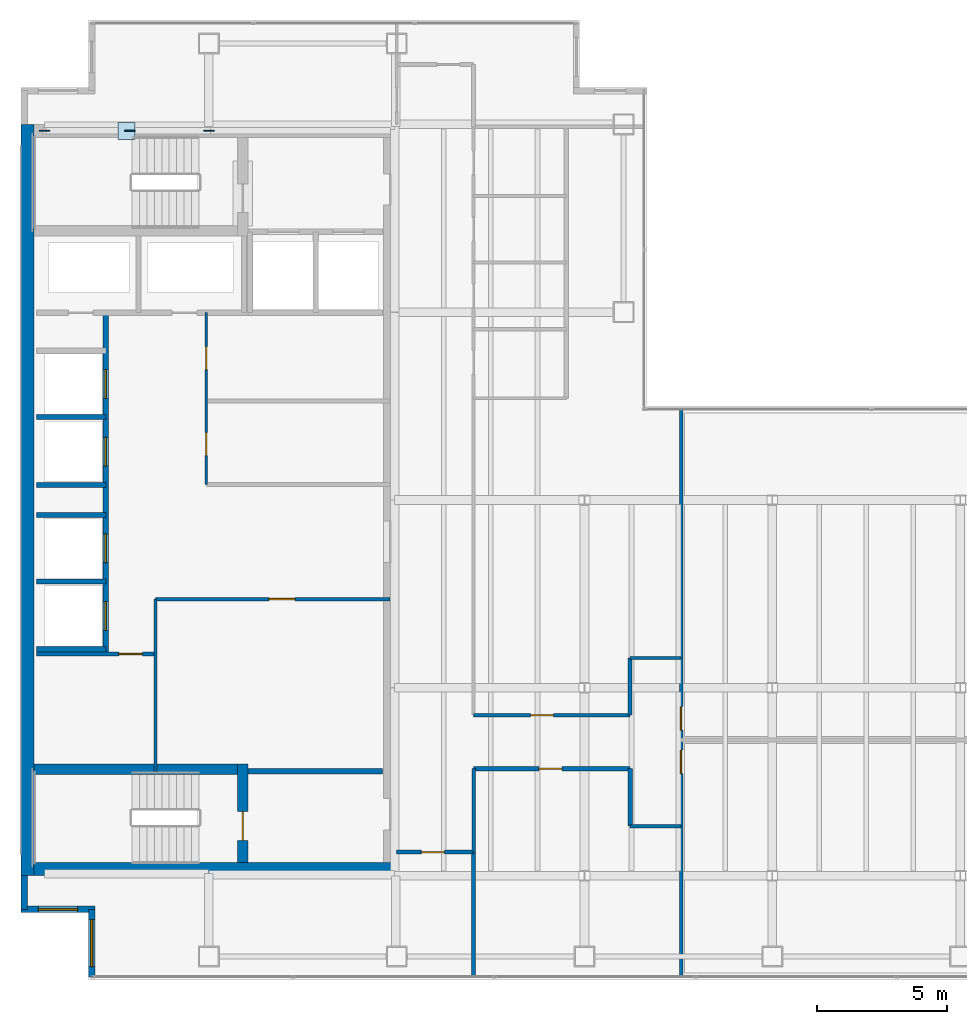
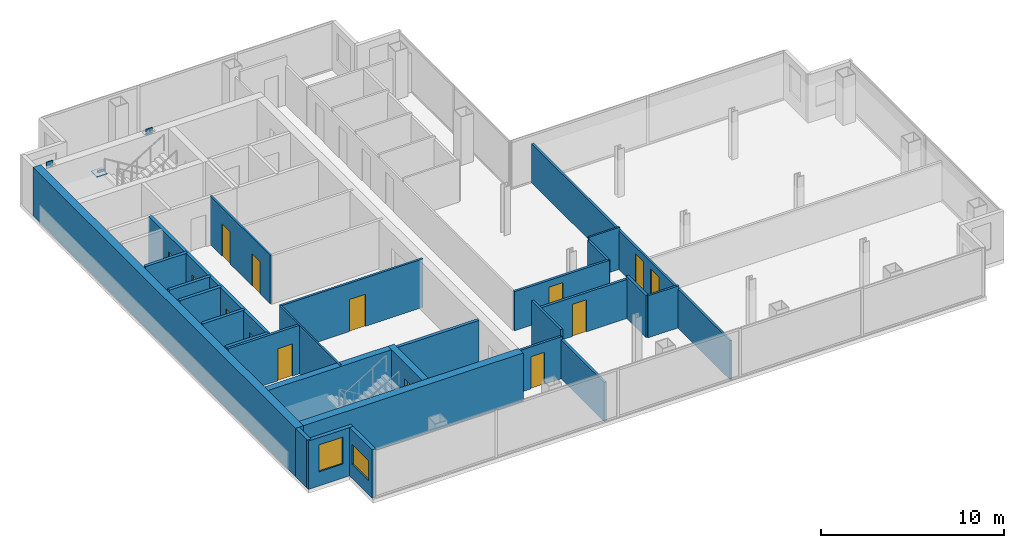
# One storey, part 20 of 23: 28 walls, 14 doors, 4 plates, 2 windows, 16 openings.
"""IFC4 building model written with IfcOpenShell, lengths in metres."""

from ifc_helpers import new_model, si_unit, direction, frame, frame_2d, origin, origin_2d, place, context, subcontext, project, spatial, rectangle, extrude, material, layer, layer_set, type_object, element, fill, save


model = new_model("IFC4")

# Units and contexts
model_context = context("Model", 3, precision=1e-05, world=origin(), true_north=direction((0.0, 1.0)))
body_context = subcontext(model_context, "Body", "Model", "MODEL_VIEW")
ifc_project = project(units=[si_unit("LENGTHUNIT", "METRE"), si_unit("AREAUNIT", "SQUARE_METRE"), si_unit("VOLUMEUNIT", "CUBIC_METRE"), si_unit("PLANEANGLEUNIT", "RADIAN"), si_unit("MASSUNIT", "GRAM", prefix="KILO")], contexts=[model_context])

# Site, building, storey
site_placement = place(None, origin())
site = spatial("IfcSite", under=ifc_project, at=site_placement, CompositionType="ELEMENT")
building_placement = place(site_placement, origin())
building = spatial("IfcBuilding", under=site, at=building_placement, Name="Cobrela Telecom Tower", CompositionType="ELEMENT")
storey_placement = place(building_placement, frame((0.0, 0.0, 197.75)))
storey = spatial("IfcBuildingStorey", under=building, at=storey_placement, Name="L50", CompositionType="ELEMENT", Elevation=197.75)

# Plates
ifc_material_1 = material(Name="Steel ASTM A572 Grade 50", Category="steel")
ifc_layer_1 = layer(ifc_material_1, 0.0419921875)
ifc_layer_set_1 = layer_set([ifc_layer_1], Name="Steel ASTM A572 Grade 50")
plate_type = type_object("IfcPlateType", Name="PLT-NODE-ND1", PredefinedType="USERDEFINED", material=ifc_layer_set_1)
for number, where, z_axis, x_axis, name in (
    (1, (7.199951171875, 35.75, 3.0751953125), (0.0, 0.0, 1.0), (1.0, 0.0, 0.0), "Steel node plate PLT-MBR-EXO-L50-N1-A-1"),
    (2, (4.173828125, 35.75, 1.349609375), (0.0, 0.0, 1.0), (-1.0, 0.0, 0.0), "Steel node plate PLT-MBR-EXO-L50-N1-B1-1"),
    (3, (0.89990234375, 35.75, 3.0751953125), (0.0, 0.0, 1.0), (-1.0, 0.0, 0.0), "Steel node plate PLT-MBR-EXO-L50-N1-B2-1"),
):
    element("IfcPlate", number, at=place(storey_placement, frame(where, z_axis=z_axis, x_axis=x_axis)), inside=storey, type_object=plate_type, Name=name, ObjectType="GUSSET PLATE", PredefinedType="USERDEFINED", context=body_context, shape_type="SweptSolid", body=[
        extrude(rectangle(XDim=0.409912109375, YDim=0.044921875, at=origin_2d()), origin(), (0.0, 0.0, 1.0), 0.409912109375),
    ])
plate_placement = place(storey_placement, frame((4.050048828125, 35.75, 1.59765625), z_axis=(0.0, 0.0, 1.0), x_axis=(1.0, 0.0, 0.0)))
element("IfcPlate", 4, at=plate_placement, inside=storey, type_object=plate_type, Name="L50 Core Flange Steel X-Brace Central X-Crossing Gusset Plate", ObjectType="GUSSET PLATE", PredefinedType="USERDEFINED", context=body_context, shape_type="SweptSolid", body=[
    extrude(rectangle(XDim=0.64990234375, YDim=0.64990234375, at=origin_2d()), origin(), (0.0, 0.0, 1.0), 0.044921875),
])

# Walls
ifc_material_2 = material(Name="Concrete C40/50", Category="concrete")
ifc_layer_2 = layer(ifc_material_2, 0.5)
ifc_layer_set_2 = layer_set([ifc_layer_2], Name="Concrete C40/50")
wall_type_1 = type_object("IfcWallType", Name="WALL-CORE-C40-500", PredefinedType="SHEAR", material=ifc_layer_set_2)
wall_1_placement = place(storey_placement, frame((0.25, 7.199951171875, 0.0), z_axis=(0.0, 0.0, 1.0), x_axis=(0.0, 1.0, 0.0)))
element("IfcWall", 5, at=wall_1_placement, inside=storey, type_object=wall_type_1, Name="L50 West Core Shear Wall", PredefinedType="SHEAR", context=body_context, shape_type="SweptSolid", body=[
    extrude(rectangle(XDim=28.800048828125, YDim=0.5, at=frame_2d((14.39990234375, 0.0))), origin(), (0.0, 0.0, 1.0), 3.239990234375),
])
wall_2_placement = place(storey_placement, frame((0.5, 7.449951171875, 0.0), z_axis=(0.0, 0.0, 1.0), x_axis=(1.0, 0.0, 0.0)))
element("IfcWall", 6, at=wall_2_placement, inside=storey, type_object=wall_type_1, Name="L50 South Core Shear Wall", PredefinedType="SHEAR", context=body_context, shape_type="SweptSolid", body=[
    extrude(rectangle(XDim=13.89990234375, YDim=0.5, at=frame_2d((6.949951171875, 0.0))), origin(), (0.0, 0.0, 1.0), 3.239990234375),
])

# Wall, opening, window
ifc_layer_3 = layer(ifc_material_2, 0.239990234375)
ifc_layer_set_3 = layer_set([ifc_layer_3], Name="Concrete C40/50")
wall_type_2 = type_object("IfcWallType", Name="WALL-EXT-300", PredefinedType="STANDARD", material=ifc_layer_set_3)
wall_3_placement = place(storey_placement, frame((2.7099609375, 3.320068359375, 0.0), z_axis=(0.0, 0.0, 1.0), x_axis=(0.0, 1.0, 0.0)))
wall_3 = element("IfcWall", 7, at=wall_3_placement, inside=storey, type_object=wall_type_2, Name="L50 Insulated Facade Wall 01", PredefinedType="STANDARD", context=body_context, shape_type="SweptSolid", body=[
    extrude(rectangle(XDim=2.58984375, YDim=0.239990234375, at=frame_2d((1.294921875, 0.0))), origin(), (0.0, 0.0, 1.0), 3.239990234375),
])
opening_1_placement = place(wall_3_placement, frame((0.39501953125, 0.0, 0.949951171875)))
opening_1 = element("IfcOpeningElement", 8, at=opening_1_placement, cuts=wall_3, Name="Opening WN-27", PredefinedType="OPENING", context=body_context, shape_type="SweptSolid", body=[
    extrude(rectangle(XDim=1.800048828125, YDim=1.35009765625, at=frame_2d((0.89990234375, 0.675048828125))), frame((0.0, 0.1318359375, 0.0), z_axis=(0.0, -1.0, 0.0), x_axis=(1.0, 0.0, 0.0)), (0.0, 0.0, 1.0), 0.263916015625),
])
ifc_material_3 = material(Name="Solar-Control Bronze Low-E Glass", Category="glass")
window_type_1 = type_object("IfcWindowType", Name="WIN-CLER-1800", PartitioningType="SINGLE_PANEL", PredefinedType="WINDOW", material=ifc_material_3)
window_1_placement = place(opening_1_placement, origin())
window_1 = element("IfcWindow", 9, at=window_1_placement, inside=storey, type_object=window_type_1, Name="L50 Corner Notch Facade Window 239", OverallHeight=1.35009765625, OverallWidth=1.800048828125, PartitioningType="SINGLE_PANEL", PredefinedType="WINDOW", context=body_context, shape_type="SweptSolid", body=[
    extrude(rectangle(XDim=1.800048828125, YDim=1.35009765625, at=frame_2d((0.89990234375, 0.675048828125))), frame((0.0, 0.030029296875, 0.0), z_axis=(0.0, -1.0, 0.0), x_axis=(1.0, 0.0, 0.0)), (0.0, 0.0, 1.0), 0.06005859375),
])
fill(opening_1, window_1)

wall_4_placement = place(storey_placement, frame((2.830078125, 5.909912109375, 0.0), z_axis=(0.0, 0.0, 1.0), x_axis=(-1.0, 0.0, 0.0)))
wall_4 = element("IfcWall", 10, at=wall_4_placement, inside=storey, type_object=wall_type_2, Name="L50 Insulated Facade Wall 02", PredefinedType="STANDARD", context=body_context, shape_type="SweptSolid", body=[
    extrude(rectangle(XDim=2.830078125, YDim=0.239990234375, at=frame_2d((1.4150390625, 0.0))), origin(), (0.0, 0.0, 1.0), 3.239990234375),
])
opening_2_placement = place(wall_4_placement, frame((0.6650390625, 0.0, 0.949951171875)))
opening_2 = element("IfcOpeningElement", 11, at=opening_2_placement, cuts=wall_4, Name="Opening WN-45", PredefinedType="OPENING", context=body_context, shape_type="SweptSolid", body=[
    extrude(rectangle(XDim=1.5, YDim=1.800048828125, at=frame_2d((0.75, 0.89990234375))), frame((0.0, 0.1318359375, 0.0), z_axis=(0.0, -1.0, 0.0), x_axis=(1.0, 0.0, 0.0)), (0.0, 0.0, 1.0), 0.263916015625),
])
window_type_2 = type_object("IfcWindowType", Name="WIN-MOD-1500", PartitioningType="SINGLE_PANEL", PredefinedType="WINDOW", material=ifc_material_3)
window_2_placement = place(opening_2_placement, origin())
window_2 = element("IfcWindow", 12, at=window_2_placement, inside=storey, type_object=window_type_2, Name="L50 Corner Notch Facade Window 240", OverallHeight=1.800048828125, OverallWidth=1.5, PartitioningType="SINGLE_PANEL", PredefinedType="WINDOW", context=body_context, shape_type="SweptSolid", body=[
    extrude(rectangle(XDim=1.5, YDim=1.800048828125, at=frame_2d((0.75, 0.89990234375))), frame((0.0, 0.030029296875, 0.0), z_axis=(0.0, -1.0, 0.0), x_axis=(1.0, 0.0, 0.0)), (0.0, 0.0, 1.0), 0.06005859375),
])
fill(opening_2, window_2)

# Wall
wall_5_placement = place(storey_placement, frame((0.1201171875, 5.909912109375, 0.0), z_axis=(0.0, 0.0, 1.0), x_axis=(0.0, 1.0, 0.0)))
element("IfcWall", 13, at=wall_5_placement, inside=storey, type_object=wall_type_2, Name="L50 Insulated Facade Wall 03", PredefinedType="STANDARD", context=body_context, shape_type="SweptSolid", body=[
    extrude(rectangle(XDim=1.2900390625, YDim=0.239990234375, at=frame_2d((0.64501953125, 0.0))), origin(), (0.0, 0.0, 1.0), 3.239990234375),
])

# Wall, openings, doors
ifc_material_4 = material(Name="Fire-Rated Gypsum Plasterboard")
ifc_layer_4 = layer(ifc_material_4, 0.110107421875)
ifc_layer_set_4 = layer_set([ifc_layer_4], Name="Fire-Rated Gypsum Plasterboard")
wall_type_3 = type_object("IfcWallType", Name="WALL-PART-110", PredefinedType="PARTITIONING", material=ifc_layer_set_4)
wall_6_placement = place(storey_placement, frame((7.10009765625, 22.199951171875, 0.0), z_axis=(0.0, 0.0, 1.0), x_axis=(0.0, 1.0, 0.0)))
wall_6 = element("IfcWall", 14, at=wall_6_placement, inside=storey, type_object=wall_type_3, Name="L50 Interior Partition CW-RECL-W", PredefinedType="PARTITIONING", context=body_context, shape_type="SweptSolid", body=[
    extrude(rectangle(XDim=6.580078125, YDim=0.110107421875, at=frame_2d((3.2900390625, 0.0))), origin(), (0.0, 0.0, 1.0), 3.239990234375),
])
opening_3_placement = place(wall_6_placement, frame((1.10009765625, 0.0, 0.0)))
opening_3 = element("IfcOpeningElement", 15, at=opening_3_placement, cuts=wall_6, Name="Opening DR-39", PredefinedType="OPENING", context=body_context, shape_type="SweptSolid", body=[
    extrude(rectangle(XDim=0.8798828125, YDim=2.14990234375, at=frame_2d((0.43994140625, 1.074951171875))), frame((0.0, 0.06689453125, 0.0), z_axis=(0.0, -1.0, 0.0), x_axis=(1.0, 0.0, 0.0)), (0.0, 0.0, 1.0), 0.134033203125),
])
opening_4_placement = place(wall_6_placement, frame((4.39990234375, 0.0, 0.0)))
opening_4 = element("IfcOpeningElement", 16, at=opening_4_placement, cuts=wall_6, Name="Opening DR-39", PredefinedType="OPENING", context=body_context, shape_type="SweptSolid", body=[
    extrude(rectangle(XDim=0.8798828125, YDim=2.14990234375, at=frame_2d((0.43994140625, 1.074951171875))), frame((0.0, 0.06689453125, 0.0), z_axis=(0.0, -1.0, 0.0), x_axis=(1.0, 0.0, 0.0)), (0.0, 0.0, 1.0), 0.134033203125),
])
ifc_material_5 = material(Name="Solid Engineered Oak Timber", Category="wood")
door_type_1 = type_object("IfcDoorType", Name="DOOR-INT-880", OperationType="SINGLE_SWING_LEFT", PredefinedType="DOOR", material=ifc_material_5)
door_1_placement = place(opening_3_placement, origin())
door_1 = element("IfcDoor", 17, at=door_1_placement, inside=storey, type_object=door_type_1, Name="L50 Door DR-39", OperationType="SINGLE_SWING_RIGHT", OverallHeight=2.14990234375, OverallWidth=0.8798828125, PredefinedType="DOOR", context=body_context, shape_type="SweptSolid", body=[
    extrude(rectangle(XDim=0.8798828125, YDim=2.14990234375, at=frame_2d((0.43994140625, 1.074951171875))), frame((0.0, 0.02490234375, 0.0), z_axis=(0.0, -1.0, 0.0), x_axis=(1.0, 0.0, 0.0)), (0.0, 0.0, 1.0), 0.050048828125),
])
fill(opening_3, door_1)
door_2_placement = place(opening_4_placement, origin())
door_2 = element("IfcDoor", 18, at=door_2_placement, inside=storey, type_object=door_type_1, Name="L50 Door DR-39", OperationType="SINGLE_SWING_LEFT", OverallHeight=2.14990234375, OverallWidth=0.8798828125, PredefinedType="DOOR", context=body_context, shape_type="SweptSolid", body=[
    extrude(rectangle(XDim=0.8798828125, YDim=2.14990234375, at=frame_2d((0.43994140625, 1.074951171875))), frame((0.0, 0.02490234375, 0.0), z_axis=(0.0, -1.0, 0.0), x_axis=(1.0, 0.0, 0.0)), (0.0, 0.0, 1.0), 0.050048828125),
])
fill(opening_4, door_2)

# Walls
wall_7_placement = place(storey_placement, frame((5.14990234375, 11.199951171875, 0.0), z_axis=(0.0, 0.0, 1.0), x_axis=(0.0, 1.0, 0.0)))
element("IfcWall", 19, at=wall_7_placement, inside=storey, type_object=wall_type_3, Name="L50 Interior Partition CW-RECM-W", PredefinedType="PARTITIONING", context=body_context, shape_type="SweptSolid", body=[
    extrude(rectangle(XDim=6.60009765625, YDim=0.110107421875, at=frame_2d((3.300048828125, 0.0))), origin(), (0.0, 0.0, 1.0), 3.239990234375),
])
wall_8_placement = place(storey_placement, frame((23.35009765625, 15.550048828125, 0.0), z_axis=(0.0, 0.0, 1.0), x_axis=(1.0, 0.0, 0.0)))
element("IfcWall", 20, at=wall_8_placement, inside=storey, type_object=wall_type_3, Name="L50 Interior Partition W-CT-N", PredefinedType="PARTITIONING", context=body_context, shape_type="SweptSolid", body=[
    extrude(rectangle(XDim=1.949951171875, YDim=0.110107421875, at=frame_2d((0.97509765625, 0.0))), origin(), (0.0, 0.0, 1.0), 2.80810546875),
])

# Wall, opening, door
ifc_layer_5 = layer(ifc_material_4, 0.135009765625)
ifc_layer_set_5 = layer_set([ifc_layer_5], Name="Fire-Rated Gypsum Plasterboard")
wall_type_4 = type_object("IfcWallType", Name="WALL-PART-135", PredefinedType="PARTITIONING", material=ifc_layer_set_5)
wall_9_placement = place(storey_placement, frame((5.14990234375, 17.800048828125, 0.0), z_axis=(0.0, 0.0, 1.0), x_axis=(1.0, 0.0, 0.0)))
wall_9 = element("IfcWall", 21, at=wall_9_placement, inside=storey, type_object=wall_type_4, Name="L50 Interior Partition CW-RECM-N", PredefinedType="PARTITIONING", context=body_context, shape_type="SweptSolid", body=[
    extrude(rectangle(XDim=9.0, YDim=0.135009765625, at=frame_2d((4.5, 0.0))), origin(), (0.0, 0.0, 1.0), 3.239990234375),
])
opening_5_placement = place(wall_9_placement, frame((4.35009765625, 0.0, 0.0)))
opening_5 = element("IfcOpeningElement", 22, at=opening_5_placement, cuts=wall_9, Name="Opening DR-31", PredefinedType="OPENING", context=body_context, shape_type="SweptSolid", body=[
    extrude(rectangle(XDim=1.0, YDim=2.14990234375, at=frame_2d((0.5, 1.074951171875))), frame((0.0, 0.07958984375, 0.0), z_axis=(0.0, -1.0, 0.0), x_axis=(1.0, 0.0, 0.0)), (0.0, 0.0, 1.0), 0.158935546875),
])
door_type_2 = type_object("IfcDoorType", Name="DOOR-INT-1000", OperationType="SINGLE_SWING_LEFT", PredefinedType="DOOR", material=ifc_material_5)
door_3_placement = place(opening_5_placement, origin())
door_3 = element("IfcDoor", 23, at=door_3_placement, inside=storey, type_object=door_type_2, Name="L50 Door DR-31", OperationType="SINGLE_SWING_LEFT", OverallHeight=2.14990234375, OverallWidth=1.0, PredefinedType="DOOR", context=body_context, shape_type="SweptSolid", body=[
    extrude(rectangle(XDim=1.0, YDim=2.14990234375, at=frame_2d((0.5, 1.074951171875))), frame((0.0, 0.02490234375, 0.0), z_axis=(0.0, -1.0, 0.0), x_axis=(1.0, 0.0, 0.0)), (0.0, 0.0, 1.0), 0.050048828125),
])
fill(opening_5, door_3)

# Walls
wall_10_placement = place(storey_placement, frame((17.35009765625, 8.10009765625, 0.0), z_axis=(0.0, 0.0, 1.0), x_axis=(0.0, 1.0, 0.0)))
element("IfcWall", 24, at=wall_10_placement, inside=storey, type_object=wall_type_4, Name="L50 Interior Partition W-C-E1", PredefinedType="PARTITIONING", context=body_context, shape_type="SweptSolid", body=[
    extrude(rectangle(XDim=3.199951171875, YDim=0.135009765625, at=frame_2d((1.60009765625, 0.0))), origin(), (0.0, 0.0, 1.0), 3.239990234375),
])
wall_11_placement = place(storey_placement, frame((23.35009765625, 9.10009765625, 0.0), z_axis=(0.0, 0.0, 1.0), x_axis=(1.0, 0.0, 0.0)))
element("IfcWall", 25, at=wall_11_placement, inside=storey, type_object=wall_type_4, Name="L50 Interior Partition W-CT-S", PredefinedType="PARTITIONING", context=body_context, shape_type="SweptSolid", body=[
    extrude(rectangle(XDim=1.949951171875, YDim=0.135009765625, at=frame_2d((0.97509765625, 0.0))), origin(), (0.0, 0.0, 1.0), 2.80810546875),
])

# Wall, openings, doors
wall_12_placement = place(storey_placement, frame((25.300048828125, 3.320068359375, 0.0), z_axis=(0.0, 0.0, 1.0), x_axis=(0.0, 1.0, 0.0)))
wall_12 = element("IfcWall", 26, at=wall_12_placement, inside=storey, type_object=wall_type_4, Name="L50 Interior Partition W-C-END", PredefinedType="PARTITIONING", context=body_context, shape_type="SweptSolid", body=[
    extrude(rectangle(XDim=21.760009765625, YDim=0.135009765625, at=frame_2d((10.8798828125, 0.0))), origin(), (0.0, 0.0, 1.0), 2.613037109375),
])
opening_6_placement = place(wall_12_placement, frame((7.7900390625, 0.0, 0.0)))
opening_6 = element("IfcOpeningElement", 27, at=opening_6_placement, cuts=wall_12, Name="Opening DR-41", PredefinedType="OPENING", context=body_context, shape_type="SweptSolid", body=[
    extrude(rectangle(XDim=0.89990234375, YDim=2.14990234375, at=frame_2d((0.449951171875, 1.074951171875))), frame((0.0, 0.07958984375, 0.0), z_axis=(0.0, -1.0, 0.0), x_axis=(1.0, 0.0, 0.0)), (0.0, 0.0, 1.0), 0.158935546875),
])
opening_7_placement = place(wall_12_placement, frame((9.4599609375, 0.0, 0.0)))
opening_7 = element("IfcOpeningElement", 28, at=opening_7_placement, cuts=wall_12, Name="Opening DR-41", PredefinedType="OPENING", context=body_context, shape_type="SweptSolid", body=[
    extrude(rectangle(XDim=0.89990234375, YDim=2.14990234375, at=frame_2d((0.449951171875, 1.074951171875))), frame((0.0, 0.07958984375, 0.0), z_axis=(0.0, -1.0, 0.0), x_axis=(1.0, 0.0, 0.0)), (0.0, 0.0, 1.0), 0.158935546875),
])
door_type_3 = type_object("IfcDoorType", Name="DOOR-INT-900", OperationType="SINGLE_SWING_LEFT", PredefinedType="DOOR", material=ifc_material_5)
door_4_placement = place(opening_6_placement, origin())
door_4 = element("IfcDoor", 29, at=door_4_placement, inside=storey, type_object=door_type_3, Name="L50 Door DR-41", OperationType="SINGLE_SWING_LEFT", OverallHeight=2.14990234375, OverallWidth=0.89990234375, PredefinedType="DOOR", context=body_context, shape_type="SweptSolid", body=[
    extrude(rectangle(XDim=0.89990234375, YDim=2.14990234375, at=frame_2d((0.449951171875, 1.074951171875))), frame((0.0, 0.02490234375, 0.0), z_axis=(0.0, -1.0, 0.0), x_axis=(1.0, 0.0, 0.0)), (0.0, 0.0, 1.0), 0.050048828125),
])
fill(opening_6, door_4)
door_5_placement = place(opening_7_placement, origin())
door_5 = element("IfcDoor", 30, at=door_5_placement, inside=storey, type_object=door_type_3, Name="L50 Door DR-41", OperationType="SINGLE_SWING_RIGHT", OverallHeight=2.14990234375, OverallWidth=0.89990234375, PredefinedType="DOOR", context=body_context, shape_type="SweptSolid", body=[
    extrude(rectangle(XDim=0.89990234375, YDim=2.14990234375, at=frame_2d((0.449951171875, 1.074951171875))), frame((0.0, 0.02490234375, 0.0), z_axis=(0.0, -1.0, 0.0), x_axis=(1.0, 0.0, 0.0)), (0.0, 0.0, 1.0), 0.050048828125),
])
fill(opening_7, door_5)

# Wall, opening, door
ifc_layer_6 = layer(ifc_material_4, 0.14990234375)
ifc_layer_set_6 = layer_set([ifc_layer_6], Name="Fire-Rated Gypsum Plasterboard")
wall_type_5 = type_object("IfcWallType", Name="WALL-PART-150", PredefinedType="PARTITIONING", material=ifc_layer_set_6)
wall_13_placement = place(storey_placement, frame((14.39990234375, 8.10009765625, 0.0), z_axis=(0.0, 0.0, 1.0), x_axis=(1.0, 0.0, 0.0)))
wall_13 = element("IfcWall", 31, at=wall_13_placement, inside=storey, type_object=wall_type_5, Name="L50 Interior Partition W-C-S0", PredefinedType="PARTITIONING", context=body_context, shape_type="SweptSolid", body=[
    extrude(rectangle(XDim=2.9501953125, YDim=0.14990234375, at=frame_2d((1.47509765625, 0.0))), origin(), (0.0, 0.0, 1.0), 2.80810546875),
])
opening_8_placement = place(wall_13_placement, frame((0.949951171875, 0.0, 0.0)))
opening_8 = element("IfcOpeningElement", 32, at=opening_8_placement, cuts=wall_13, Name="Opening DR-39", PredefinedType="OPENING", context=body_context, shape_type="SweptSolid", body=[
    extrude(rectangle(XDim=0.8798828125, YDim=2.14990234375, at=frame_2d((0.43994140625, 1.074951171875))), frame((0.0, 0.0869140625, 0.0), z_axis=(0.0, -1.0, 0.0), x_axis=(1.0, 0.0, 0.0)), (0.0, 0.0, 1.0), 0.173828125),
])
door_6_placement = place(opening_8_placement, origin())
door_6 = element("IfcDoor", 33, at=door_6_placement, inside=storey, type_object=door_type_1, Name="L50 Door DR-39", OperationType="SINGLE_SWING_RIGHT", OverallHeight=2.14990234375, OverallWidth=0.8798828125, PredefinedType="DOOR", context=body_context, shape_type="SweptSolid", body=[
    extrude(rectangle(XDim=0.8798828125, YDim=2.14990234375, at=frame_2d((0.43994140625, 1.074951171875))), frame((0.0, 0.02490234375, 0.0), z_axis=(0.0, -1.0, 0.0), x_axis=(1.0, 0.0, 0.0)), (0.0, 0.0, 1.0), 0.050048828125),
])
fill(opening_8, door_6)

wall_14_placement = place(storey_placement, frame((17.35009765625, 13.35009765625, 0.0), z_axis=(0.0, 0.0, 1.0), x_axis=(1.0, 0.0, 0.0)))
wall_14 = element("IfcWall", 34, at=wall_14_placement, inside=storey, type_object=wall_type_5, Name="L50 Interior Partition W-C-HN", PredefinedType="PARTITIONING", context=body_context, shape_type="SweptSolid", body=[
    extrude(rectangle(XDim=6.0, YDim=0.14990234375, at=frame_2d((3.0, 0.0))), origin(), (0.0, 0.0, 1.0), 2.613037109375),
])
opening_9_placement = place(wall_14_placement, frame((2.179931640625, 0.0, 0.0)))
opening_9 = element("IfcOpeningElement", 35, at=opening_9_placement, cuts=wall_14, Name="Opening DR-39", PredefinedType="OPENING", context=body_context, shape_type="SweptSolid", body=[
    extrude(rectangle(XDim=0.8798828125, YDim=2.14990234375, at=frame_2d((0.43994140625, 1.074951171875))), frame((0.0, 0.0869140625, 0.0), z_axis=(0.0, -1.0, 0.0), x_axis=(1.0, 0.0, 0.0)), (0.0, 0.0, 1.0), 0.173828125),
])
door_7_placement = place(opening_9_placement, origin())
door_7 = element("IfcDoor", 36, at=door_7_placement, inside=storey, type_object=door_type_1, Name="L50 Door DR-39", OperationType="SINGLE_SWING_LEFT", OverallHeight=2.14990234375, OverallWidth=0.8798828125, PredefinedType="DOOR", context=body_context, shape_type="SweptSolid", body=[
    extrude(rectangle(XDim=0.8798828125, YDim=2.14990234375, at=frame_2d((0.43994140625, 1.074951171875))), frame((0.0, 0.02490234375, 0.0), z_axis=(0.0, -1.0, 0.0), x_axis=(1.0, 0.0, 0.0)), (0.0, 0.0, 1.0), 0.050048828125),
])
fill(opening_9, door_7)

# Wall
wall_15_placement = place(storey_placement, frame((23.35009765625, 13.35009765625, 0.0), z_axis=(0.0, 0.0, 1.0), x_axis=(0.0, 1.0, 0.0)))
element("IfcWall", 37, at=wall_15_placement, inside=storey, type_object=wall_type_5, Name="L50 Interior Partition W-CT-JW2", PredefinedType="PARTITIONING", context=body_context, shape_type="SweptSolid", body=[
    extrude(rectangle(XDim=2.199951171875, YDim=0.14990234375, at=frame_2d((1.10009765625, 0.0))), origin(), (0.0, 0.0, 1.0), 2.613037109375),
])

# Wall, opening, door
ifc_layer_7 = layer(ifc_material_4, 0.159912109375)
ifc_layer_set_7 = layer_set([ifc_layer_7], Name="Fire-Rated Gypsum Plasterboard")
wall_type_6 = type_object("IfcWallType", Name="WALL-PART-160", PredefinedType="PARTITIONING", material=ifc_layer_set_7)
wall_16_placement = place(storey_placement, frame((0.60009765625, 15.699951171875, 0.0), z_axis=(0.0, 0.0, 1.0), x_axis=(1.0, 0.0, 0.0)))
wall_16 = element("IfcWall", 38, at=wall_16_placement, inside=storey, type_object=wall_type_6, Name="L50 Interior Partition CW-FLEX-N", PredefinedType="PARTITIONING", context=body_context, shape_type="SweptSolid", body=[
    extrude(rectangle(XDim=4.5498046875, YDim=0.159912109375, at=frame_2d((2.27490234375, 0.0))), origin(), (0.0, 0.0, 1.0), 3.239990234375),
])
opening_10_placement = place(wall_16_placement, frame((3.14990234375, 0.0, 0.0)))
opening_10 = element("IfcOpeningElement", 39, at=opening_10_placement, cuts=wall_16, Name="Opening DR-41", PredefinedType="OPENING", context=body_context, shape_type="SweptSolid", body=[
    extrude(rectangle(XDim=0.89990234375, YDim=2.14990234375, at=frame_2d((0.449951171875, 1.074951171875))), frame((0.0, 0.091796875, 0.0), z_axis=(0.0, -1.0, 0.0), x_axis=(1.0, 0.0, 0.0)), (0.0, 0.0, 1.0), 0.183837890625),
])
door_8_placement = place(opening_10_placement, origin())
door_8 = element("IfcDoor", 40, at=door_8_placement, inside=storey, type_object=door_type_3, Name="L50 Door DR-41", OperationType="SINGLE_SWING_LEFT", OverallHeight=2.14990234375, OverallWidth=0.89990234375, PredefinedType="DOOR", context=body_context, shape_type="SweptSolid", body=[
    extrude(rectangle(XDim=0.89990234375, YDim=2.14990234375, at=frame_2d((0.449951171875, 1.074951171875))), frame((0.0, 0.02490234375, 0.0), z_axis=(0.0, -1.0, 0.0), x_axis=(1.0, 0.0, 0.0)), (0.0, 0.0, 1.0), 0.050048828125),
])
fill(opening_10, door_8)

wall_17_placement = place(storey_placement, frame((17.35009765625, 11.300048828125, 0.0), z_axis=(0.0, 0.0, 1.0), x_axis=(1.0, 0.0, 0.0)))
wall_17 = element("IfcWall", 41, at=wall_17_placement, inside=storey, type_object=wall_type_6, Name="L50 Interior Partition W-C-HS", PredefinedType="PARTITIONING", context=body_context, shape_type="SweptSolid", body=[
    extrude(rectangle(XDim=6.0, YDim=0.159912109375, at=frame_2d((3.0, 0.0))), origin(), (0.0, 0.0, 1.0), 2.613037109375),
])
opening_11_placement = place(wall_17_placement, frame((2.5, 0.0, 0.0)))
opening_11 = element("IfcOpeningElement", 42, at=opening_11_placement, cuts=wall_17, Name="Opening DR-39", PredefinedType="OPENING", context=body_context, shape_type="SweptSolid", body=[
    extrude(rectangle(XDim=0.8798828125, YDim=2.14990234375, at=frame_2d((0.43994140625, 1.074951171875))), frame((0.0, 0.091796875, 0.0), z_axis=(0.0, -1.0, 0.0), x_axis=(1.0, 0.0, 0.0)), (0.0, 0.0, 1.0), 0.183837890625),
])
door_9_placement = place(opening_11_placement, origin())
door_9 = element("IfcDoor", 43, at=door_9_placement, inside=storey, type_object=door_type_1, Name="L50 Door DR-39", OperationType="SINGLE_SWING_LEFT", OverallHeight=2.14990234375, OverallWidth=0.8798828125, PredefinedType="DOOR", context=body_context, shape_type="SweptSolid", body=[
    extrude(rectangle(XDim=0.8798828125, YDim=2.14990234375, at=frame_2d((0.43994140625, 1.074951171875))), frame((0.0, 0.02490234375, 0.0), z_axis=(0.0, -1.0, 0.0), x_axis=(1.0, 0.0, 0.0)), (0.0, 0.0, 1.0), 0.050048828125),
])
fill(opening_11, door_9)

# Walls
wall_18_placement = place(storey_placement, frame((23.35009765625, 9.10009765625, 0.0), z_axis=(0.0, 0.0, 1.0), x_axis=(0.0, 1.0, 0.0)))
element("IfcWall", 44, at=wall_18_placement, inside=storey, type_object=wall_type_6, Name="L50 Interior Partition W-CT-JW1", PredefinedType="PARTITIONING", context=body_context, shape_type="SweptSolid", body=[
    extrude(rectangle(XDim=2.199951171875, YDim=0.159912109375, at=frame_2d((1.10009765625, 0.0))), origin(), (0.0, 0.0, 1.0), 2.80810546875),
])
wall_19_placement = place(storey_placement, frame((17.35009765625, 3.320068359375, 0.0), z_axis=(0.0, 0.0, 1.0), x_axis=(0.0, 1.0, 0.0)))
element("IfcWall", 45, at=wall_19_placement, inside=storey, type_object=wall_type_6, Name="L50 Interior Partition W-SW-E", PredefinedType="PARTITIONING", context=body_context, shape_type="SweptSolid", body=[
    extrude(rectangle(XDim=4.780029296875, YDim=0.159912109375, at=frame_2d((2.39013671875, 0.0))), origin(), (0.0, 0.0, 1.0), 2.613037109375),
])
ifc_layer_8 = layer(ifc_material_4, 0.199951171875)
ifc_layer_set_8 = layer_set([ifc_layer_8], Name="Fire-Rated Gypsum Plasterboard")
wall_type_7 = type_object("IfcWallType", Name="WALL-SHAFT-200", PredefinedType="PARTITIONING", material=ifc_layer_set_8)
wall_20_placement = place(storey_placement, frame((8.699951171875, 11.199951171875, 0.0), z_axis=(0.0, 0.0, 1.0), x_axis=(1.0, 0.0, 0.0)))
element("IfcWall", 46, at=wall_20_placement, inside=storey, type_object=wall_type_7, Name="L50 Shaft Enclosure CW-ST2L-N", PredefinedType="PARTITIONING", context=body_context, shape_type="SweptSolid", body=[
    extrude(rectangle(XDim=5.150146484375, YDim=0.199951171875, at=frame_2d((2.5751953125, 0.0))), origin(), (0.0, 0.0, 1.0), 3.239990234375),
])

# Wall, openings, doors
wall_21_placement = place(storey_placement, frame((3.25, 15.699951171875, 0.0), z_axis=(0.0, 0.0, 1.0), x_axis=(0.0, 1.0, 0.0)))
wall_21 = element("IfcWall", 47, at=wall_21_placement, inside=storey, type_object=wall_type_7, Name="L50 Shaft Enclosure CW-PLH-E", PredefinedType="PARTITIONING", context=body_context, shape_type="SweptSolid", body=[
    extrude(rectangle(XDim=13.080078125, YDim=0.199951171875, at=frame_2d((6.5400390625, 0.0))), origin(), (0.0, 0.0, 1.0), 3.239990234375),
])
opening_12_placement = place(wall_21_placement, frame((0.89990234375, 0.0, 0.0)))
opening_12 = element("IfcOpeningElement", 48, at=opening_12_placement, cuts=wall_21, Name="Opening LD-1", PredefinedType="OPENING", context=body_context, shape_type="SweptSolid", body=[
    extrude(rectangle(XDim=1.10009765625, YDim=2.199951171875, at=frame_2d((0.550048828125, 1.10009765625))), frame((0.0, 0.11181640625, 0.0), z_axis=(0.0, -1.0, 0.0), x_axis=(1.0, 0.0, 0.0)), (0.0, 0.0, 1.0), 0.223876953125),
])
opening_13_placement = place(wall_21_placement, frame((3.5, 0.0, 0.0)))
opening_13 = element("IfcOpeningElement", 49, at=opening_13_placement, cuts=wall_21, Name="Opening LD-1", PredefinedType="OPENING", context=body_context, shape_type="SweptSolid", body=[
    extrude(rectangle(XDim=1.10009765625, YDim=2.199951171875, at=frame_2d((0.550048828125, 1.10009765625))), frame((0.0, 0.11181640625, 0.0), z_axis=(0.0, -1.0, 0.0), x_axis=(1.0, 0.0, 0.0)), (0.0, 0.0, 1.0), 0.223876953125),
])
opening_14_placement = place(wall_21_placement, frame((7.199951171875, 0.0, 0.0)))
opening_14 = element("IfcOpeningElement", 50, at=opening_14_placement, cuts=wall_21, Name="Opening LD-1", PredefinedType="OPENING", context=body_context, shape_type="SweptSolid", body=[
    extrude(rectangle(XDim=1.10009765625, YDim=2.199951171875, at=frame_2d((0.550048828125, 1.10009765625))), frame((0.0, 0.11181640625, 0.0), z_axis=(0.0, -1.0, 0.0), x_axis=(1.0, 0.0, 0.0)), (0.0, 0.0, 1.0), 0.223876953125),
])
opening_15_placement = place(wall_21_placement, frame((9.800048828125, 0.0, 0.0)))
opening_15 = element("IfcOpeningElement", 51, at=opening_15_placement, cuts=wall_21, Name="Opening LD-1", PredefinedType="OPENING", context=body_context, shape_type="SweptSolid", body=[
    extrude(rectangle(XDim=1.10009765625, YDim=2.199951171875, at=frame_2d((0.550048828125, 1.10009765625))), frame((0.0, 0.11181640625, 0.0), z_axis=(0.0, -1.0, 0.0), x_axis=(1.0, 0.0, 0.0)), (0.0, 0.0, 1.0), 0.223876953125),
])
ifc_material_6 = material(Name="Steel ASTM A36", Category="steel")
door_type_4 = type_object("IfcDoorType", Name="DOOR-LD-PL", OperationType="SINGLE_SWING_LEFT", PredefinedType="DOOR", material=ifc_material_6)
door_10_placement = place(opening_12_placement, origin())
door_10 = element("IfcDoor", 52, at=door_10_placement, inside=storey, type_object=door_type_4, Name="L50 Lift Landing Door LD-1", OperationType="DOUBLE_DOOR_SLIDING", OverallHeight=2.199951171875, OverallWidth=1.10009765625, PredefinedType="DOOR", context=body_context, shape_type="SweptSolid", body=[
    extrude(rectangle(XDim=1.10009765625, YDim=2.199951171875, at=frame_2d((0.550048828125, 1.10009765625))), frame((0.0, 0.02490234375, 0.0), z_axis=(0.0, -1.0, 0.0), x_axis=(1.0, 0.0, 0.0)), (0.0, 0.0, 1.0), 0.050048828125),
])
fill(opening_12, door_10)
door_11_placement = place(opening_13_placement, origin())
door_11 = element("IfcDoor", 53, at=door_11_placement, inside=storey, type_object=door_type_4, Name="L50 Lift Landing Door LD-1", OperationType="DOUBLE_DOOR_SLIDING", OverallHeight=2.199951171875, OverallWidth=1.10009765625, PredefinedType="DOOR", context=body_context, shape_type="SweptSolid", body=[
    extrude(rectangle(XDim=1.10009765625, YDim=2.199951171875, at=frame_2d((0.550048828125, 1.10009765625))), frame((0.0, 0.02490234375, 0.0), z_axis=(0.0, -1.0, 0.0), x_axis=(1.0, 0.0, 0.0)), (0.0, 0.0, 1.0), 0.050048828125),
])
fill(opening_13, door_11)
door_12_placement = place(opening_14_placement, origin())
door_12 = element("IfcDoor", 54, at=door_12_placement, inside=storey, type_object=door_type_4, Name="L50 Lift Landing Door LD-1", OperationType="DOUBLE_DOOR_SLIDING", OverallHeight=2.199951171875, OverallWidth=1.10009765625, PredefinedType="DOOR", context=body_context, shape_type="SweptSolid", body=[
    extrude(rectangle(XDim=1.10009765625, YDim=2.199951171875, at=frame_2d((0.550048828125, 1.10009765625))), frame((0.0, 0.02490234375, 0.0), z_axis=(0.0, -1.0, 0.0), x_axis=(1.0, 0.0, 0.0)), (0.0, 0.0, 1.0), 0.050048828125),
])
fill(opening_14, door_12)
door_13_placement = place(opening_15_placement, origin())
door_13 = element("IfcDoor", 55, at=door_13_placement, inside=storey, type_object=door_type_4, Name="L50 Lift Landing Door LD-1", OperationType="DOUBLE_DOOR_SLIDING", OverallHeight=2.199951171875, OverallWidth=1.10009765625, PredefinedType="DOOR", context=body_context, shape_type="SweptSolid", body=[
    extrude(rectangle(XDim=1.10009765625, YDim=2.199951171875, at=frame_2d((0.550048828125, 1.10009765625))), frame((0.0, 0.02490234375, 0.0), z_axis=(0.0, -1.0, 0.0), x_axis=(1.0, 0.0, 0.0)), (0.0, 0.0, 1.0), 0.050048828125),
])
fill(opening_15, door_13)

# Walls
for number, where, z_axis, x_axis, name in (
    (56, (0.60009765625, 15.8798828125, 0.0), (0.0, 0.0, 1.0), (1.0, 0.0, 0.0), "L50 Shaft Enclosure CW-PLH-D9"),
    (57, (0.60009765625, 18.47998046875, 0.0), (0.0, 0.0, 1.0), (1.0, 0.0, 0.0), "L50 Shaft Enclosure CW-PLH-D10"),
    (58, (0.60009765625, 22.179931640625, 0.0), (0.0, 0.0, 1.0), (1.0, 0.0, 0.0), "L50 Shaft Enclosure CW-PLH-D11"),
    (59, (0.60009765625, 24.780029296875, 0.0), (0.0, 0.0, 1.0), (1.0, 0.0, 0.0), "L50 Shaft Enclosure CW-PLH-D12"),
    (60, (0.60009765625, 21.02001953125, 0.0), (0.0, 0.0, 1.0), (1.0, 0.0, 0.0), "L50 Shaft Enclosure CW-PLH-MID"),
):
    element("IfcWall", number, at=place(storey_placement, frame(where, z_axis=z_axis, x_axis=x_axis)), inside=storey, type_object=wall_type_7, Name=name, PredefinedType="PARTITIONING", context=body_context, shape_type="SweptSolid", body=[
        extrude(rectangle(XDim=2.64990234375, YDim=0.199951171875, at=frame_2d((1.324951171875, 0.0))), origin(), (0.0, 0.0, 1.0), 3.239990234375),
    ])
ifc_layer_9 = layer(ifc_material_2, 0.39990234375)
ifc_layer_set_9 = layer_set([ifc_layer_9], Name="Concrete C40/50")
wall_type_8 = type_object("IfcWallType", Name="WALL-SHAFT-C40-400", PredefinedType="SHEAR", material=ifc_layer_set_9)
wall_22_placement = place(storey_placement, frame((0.5, 11.280029296875, 0.0), z_axis=(0.0, 0.0, 1.0), x_axis=(1.0, 0.0, 0.0)))
element("IfcWall", 61, at=wall_22_placement, inside=storey, type_object=wall_type_8, Name="L50 South Stair Shear Wall", PredefinedType="SHEAR", context=body_context, shape_type="SweptSolid", body=[
    extrude(rectangle(XDim=7.800048828125, YDim=0.39990234375, at=frame_2d((3.89990234375, 0.0))), origin(), (0.0, 0.0, 1.0), 3.239990234375),
])

# Wall, opening, door
wall_23_placement = place(storey_placement, frame((8.5, 7.699951171875, 0.0), z_axis=(0.0, 0.0, 1.0), x_axis=(0.0, 1.0, 0.0)))
wall_23 = element("IfcWall", 62, at=wall_23_placement, inside=storey, type_object=wall_type_8, Name="L50 South Stair Lobby Shear Wall", PredefinedType="SHEAR", context=body_context, shape_type="SweptSolid", body=[
    extrude(rectangle(XDim=3.780029296875, YDim=0.39990234375, at=frame_2d((1.89013671875, 0.0))), origin(), (0.0, 0.0, 1.0), 3.239990234375),
])
opening_16_placement = place(wall_23_placement, frame((0.85009765625, 0.0, 0.0)))
opening_16 = element("IfcOpeningElement", 63, at=opening_16_placement, cuts=wall_23, Name="Opening FD-90", PredefinedType="OPENING", context=body_context, shape_type="SweptSolid", body=[
    extrude(rectangle(XDim=1.10009765625, YDim=2.14990234375, at=frame_2d((0.550048828125, 1.074951171875))), frame((0.0, 0.2119140625, 0.0), z_axis=(0.0, -1.0, 0.0), x_axis=(1.0, 0.0, 0.0)), (0.0, 0.0, 1.0), 0.423828125),
])
door_type_5 = type_object("IfcDoorType", Name="DOOR-FD90-1100", OperationType="SINGLE_SWING_LEFT", PredefinedType="DOOR", material=ifc_material_6)
door_14_placement = place(opening_16_placement, origin())
door_14 = element("IfcDoor", 64, at=door_14_placement, inside=storey, type_object=door_type_5, Name="L50 Door FD-90", OperationType="SINGLE_SWING_LEFT", OverallHeight=2.14990234375, OverallWidth=1.10009765625, PredefinedType="DOOR", context=body_context, shape_type="SweptSolid", body=[
    extrude(rectangle(XDim=1.10009765625, YDim=2.14990234375, at=frame_2d((0.550048828125, 1.074951171875))), frame((0.0, 0.02490234375, 0.0), z_axis=(0.0, -1.0, 0.0), x_axis=(1.0, 0.0, 0.0)), (0.0, 0.0, 1.0), 0.050048828125),
])
fill(opening_16, door_14)

save(model, "model.ifc")
